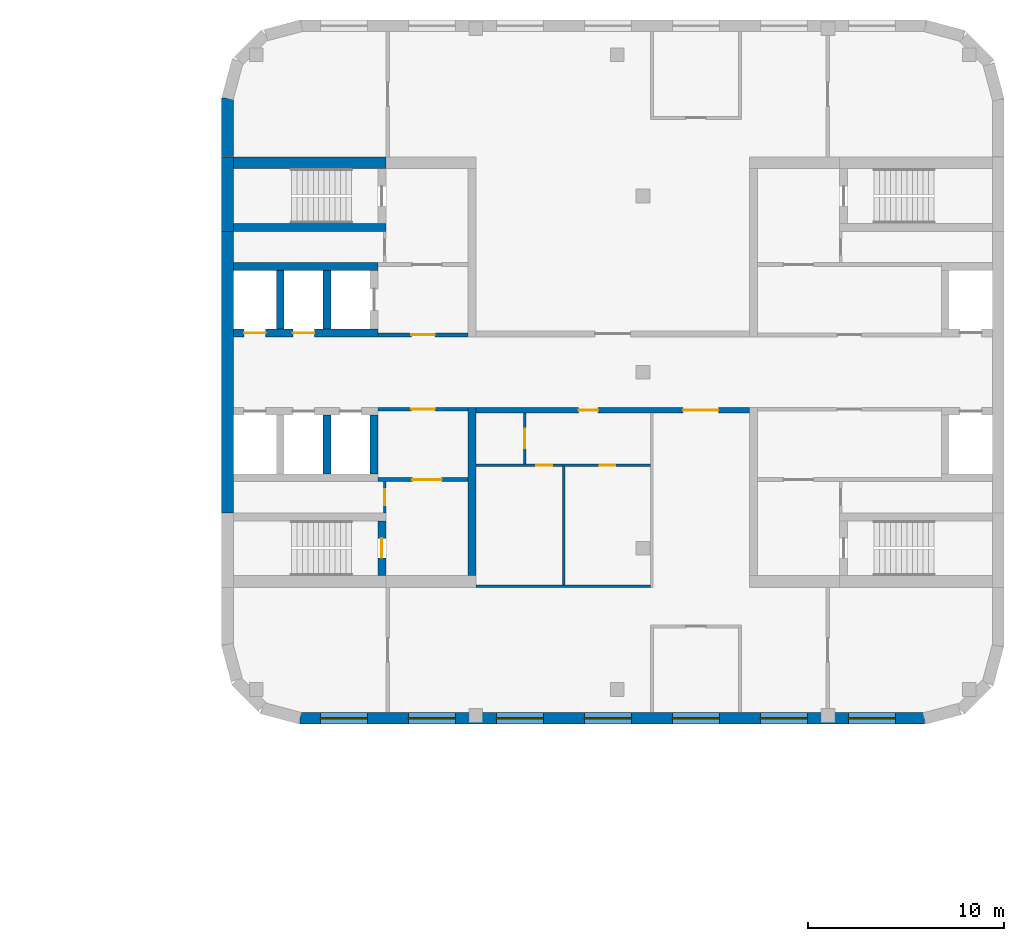
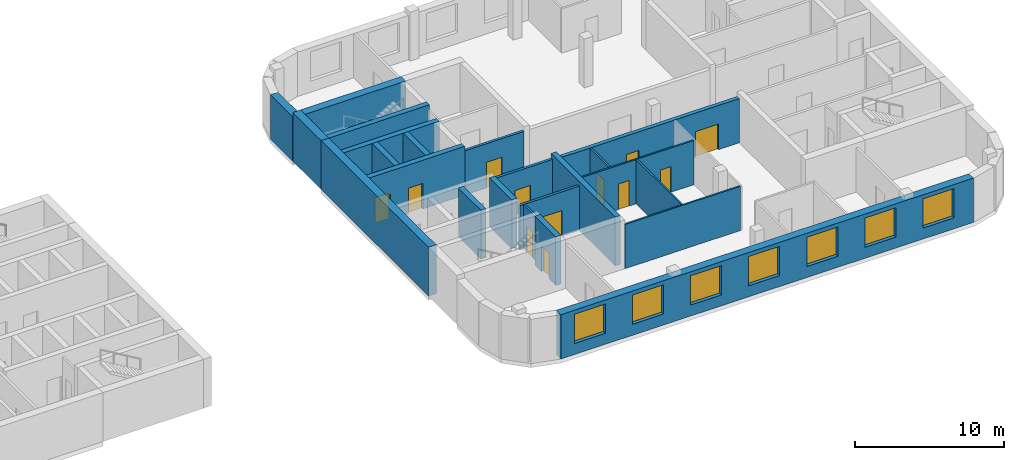
# One storey, part 7 of 12: 23 walls, 12 doors, 7 windows, 19 openings.
"""IFC4 building model written with IfcOpenShell, lengths in metres."""

from ifc_helpers import new_model, si_unit, direction, frame, frame_2d, origin, place, context, subcontext, project, spatial, rectangle, extrude, material, layer, layer_set, type_object, element, fill, save


model = new_model("IFC4")

# Units and contexts
model_context = context("Model", 3, precision=1e-05, world=origin(), true_north=direction((0.0, 1.0)))
body_context = subcontext(model_context, "Body", "Model", "MODEL_VIEW")
ifc_project = project(units=[si_unit("LENGTHUNIT", "METRE"), si_unit("AREAUNIT", "SQUARE_METRE"), si_unit("VOLUMEUNIT", "CUBIC_METRE"), si_unit("PLANEANGLEUNIT", "RADIAN"), si_unit("MASSUNIT", "GRAM", prefix="KILO")], contexts=[model_context])

# Site, building, storey
site_placement = place(None, origin())
site = spatial("IfcSite", under=ifc_project, at=site_placement, CompositionType="ELEMENT")
building_placement = place(site_placement, origin())
building = spatial("IfcBuilding", under=site, at=building_placement, Name="Skarvind Civic Tower", CompositionType="ELEMENT")
storey_placement = place(building_placement, frame((0.0, 0.0, 71.5)))
storey = spatial("IfcBuildingStorey", under=building, at=storey_placement, Name="L16", CompositionType="ELEMENT", Elevation=71.5)

# Wall, openings, doors
ifc_material_1 = material(Name="Fire-rated gypsum board on steel studs", Category="steel")
ifc_layer_1 = layer(ifc_material_1, 0.300048828125)
ifc_layer_set_1 = layer_set([ifc_layer_1], Name="CORRIDOR WALL 300")
wall_type_1 = type_object("IfcWallType", Name="CORRIDOR WALL 300", PredefinedType="PARTITIONING", material=ifc_layer_set_1)
wall_1_placement = place(storey_placement, frame((154.0, 126.050048828125, 0.0), z_axis=(0.0, 0.0, 1.0), x_axis=(-1.0, 0.0, 0.0)))
wall_1 = element("IfcWall", 1, at=wall_1_placement, inside=storey, type_object=wall_type_1, Name="Partition 16.015", PredefinedType="PARTITIONING", context=body_context, shape_type="SweptSolid", body=[
    extrude(rectangle(XDim=14.0, YDim=0.300048828125, at=frame_2d((7.0, 0.0))), origin(), (0.0, 0.0, 1.0), 3.625),
])
opening_1_placement = place(wall_1_placement, frame((7.75, 0.0, 0.0)))
opening_1 = element("IfcOpeningElement", 2, at=opening_1_placement, cuts=wall_1, Name="Opening L16-D105", PredefinedType="OPENING", context=body_context, shape_type="SweptSolid", body=[
    extrude(rectangle(XDim=1.0, YDim=2.10009765625, at=frame_2d((0.5, 1.050048828125))), frame((0.0, 0.159912109375, 0.0), z_axis=(0.0, -1.0, 0.0), x_axis=(1.0, 0.0, 0.0)), (0.0, 0.0, 1.0), 0.320068359375),
])
opening_2_placement = place(wall_1_placement, frame((1.60009765625, 0.0, 0.0)))
opening_2 = element("IfcOpeningElement", 3, at=opening_2_placement, cuts=wall_1, Name="Opening L16-D109", PredefinedType="OPENING", context=body_context, shape_type="SweptSolid", body=[
    extrude(rectangle(XDim=1.800048828125, YDim=2.10009765625, at=frame_2d((0.89990234375, 1.050048828125))), frame((0.0, 0.159912109375, 0.0), z_axis=(0.0, -1.0, 0.0), x_axis=(1.0, 0.0, 0.0)), (0.0, 0.0, 1.0), 0.320068359375),
])
ifc_material_2 = material(Name="Fire-rated timber door leaf", Category="wood")
door_type_1 = type_object("IfcDoorType", Name="FD1 1000x2100", OperationType="NOTDEFINED", PredefinedType="DOOR", material=ifc_material_2)
door_1_placement = place(opening_1_placement, origin())
door_1 = element("IfcDoor", 4, at=door_1_placement, inside=storey, type_object=door_type_1, Name="Door L16-D105", OperationType="SINGLE_SWING_RIGHT", OverallHeight=2.10009765625, OverallWidth=1.0, PredefinedType="DOOR", context=body_context, shape_type="SweptSolid", body=[
    extrude(rectangle(XDim=1.0, YDim=2.10009765625, at=frame_2d((0.5, 1.050048828125))), frame((0.0, 0.02490234375, 0.0), z_axis=(0.0, -1.0, 0.0), x_axis=(1.0, 0.0, 0.0)), (0.0, 0.0, 1.0), 0.050048828125),
])
fill(opening_1, door_1)
door_type_2 = type_object("IfcDoorType", Name="FD4 1800x2100", OperationType="NOTDEFINED", PredefinedType="DOOR", material=ifc_material_2)
door_2_placement = place(opening_2_placement, origin())
door_2 = element("IfcDoor", 5, at=door_2_placement, inside=storey, type_object=door_type_2, Name="Door L16-D109", OperationType="DOUBLE_DOOR_SINGLE_SWING", OverallHeight=2.10009765625, OverallWidth=1.800048828125, PredefinedType="DOOR", context=body_context, shape_type="SweptSolid", body=[
    extrude(rectangle(XDim=1.800048828125, YDim=2.10009765625, at=frame_2d((0.89990234375, 1.050048828125))), frame((0.0, 0.02490234375, 0.0), z_axis=(0.0, -1.0, 0.0), x_axis=(1.0, 0.0, 0.0)), (0.0, 0.0, 1.0), 0.050048828125),
])
fill(opening_2, door_2)

# Wall, opening, door
ifc_material_3 = material(Name="Fire-rated masonry partition", Category="masonry")
ifc_layer_2 = layer(ifc_material_3, 0.199951171875)
ifc_layer_set_2 = layer_set([ifc_layer_2], Name="Core enclosure wall 200")
wall_type_2 = type_object("IfcWallType", Name="Core enclosure wall 200", PredefinedType="PARTITIONING", material=ifc_layer_set_2)
wall_2_placement = place(storey_placement, frame((135.0, 129.89990234375, 0.0), z_axis=(0.0, 0.0, 1.0), x_axis=(1.0, 0.0, 0.0)))
wall_2 = element("IfcWall", 6, at=wall_2_placement, inside=storey, type_object=wall_type_2, Name="Core wall CA", PredefinedType="PARTITIONING", context=body_context, shape_type="SweptSolid", body=[
    extrude(rectangle(XDim=4.60009765625, YDim=0.199951171875, at=frame_2d((2.300048828125, 0.0))), origin(), (0.0, 0.0, 1.0), 3.625),
])
opening_3_placement = place(wall_2_placement, frame((1.699951171875, 0.0, 0.0)))
opening_3 = element("IfcOpeningElement", 7, at=opening_3_placement, cuts=wall_2, Name="Opening D-L16-CA-06", PredefinedType="OPENING", context=body_context, shape_type="SweptSolid", body=[
    extrude(rectangle(XDim=1.199951171875, YDim=2.10009765625, at=frame_2d((0.60009765625, 1.050048828125))), frame((0.0, 0.10986328125, 0.0), z_axis=(0.0, -1.0, 0.0), x_axis=(1.0, 0.0, 0.0)), (0.0, 0.0, 1.0), 0.219970703125),
])
ifc_material_4 = material(Name="Fire-rated steel door", Category="steel")
door_type_3 = type_object("IfcDoorType", Name="Core lobby door 1200", OperationType="NOTDEFINED", PredefinedType="DOOR", material=ifc_material_4)
door_3_placement = place(opening_3_placement, origin())
door_3 = element("IfcDoor", 8, at=door_3_placement, inside=storey, type_object=door_type_3, Name="Fire door", OperationType="DOUBLE_DOOR_SINGLE_SWING", OverallHeight=2.10009765625, OverallWidth=1.199951171875, PredefinedType="DOOR", context=body_context, shape_type="SweptSolid", body=[
    extrude(rectangle(XDim=1.199951171875, YDim=2.10009765625, at=frame_2d((0.60009765625, 1.050048828125))), frame((0.0, 0.02490234375, 0.0), z_axis=(0.0, -1.0, 0.0), x_axis=(1.0, 0.0, 0.0)), (0.0, 0.0, 1.0), 0.050048828125),
])
fill(opening_3, door_3)

wall_3_placement = place(storey_placement, frame((139.60009765625, 126.10009765625, 0.0), z_axis=(0.0, 0.0, 1.0), x_axis=(-1.0, 0.0, 0.0)))
wall_3 = element("IfcWall", 9, at=wall_3_placement, inside=storey, type_object=wall_type_2, Name="Core wall CA", PredefinedType="PARTITIONING", context=body_context, shape_type="SweptSolid", body=[
    extrude(rectangle(XDim=4.60009765625, YDim=0.199951171875, at=frame_2d((2.300048828125, 0.0))), origin(), (0.0, 0.0, 1.0), 3.625),
])
opening_4_placement = place(wall_3_placement, frame((1.699951171875, 0.0, 0.0)))
opening_4 = element("IfcOpeningElement", 10, at=opening_4_placement, cuts=wall_3, Name="Opening D-L16-CA-10", PredefinedType="OPENING", context=body_context, shape_type="SweptSolid", body=[
    extrude(rectangle(XDim=1.199951171875, YDim=2.10009765625, at=frame_2d((0.60009765625, 1.050048828125))), frame((0.0, 0.10986328125, 0.0), z_axis=(0.0, -1.0, 0.0), x_axis=(1.0, 0.0, 0.0)), (0.0, 0.0, 1.0), 0.219970703125),
])
door_4_placement = place(opening_4_placement, origin())
door_4 = element("IfcDoor", 11, at=door_4_placement, inside=storey, type_object=door_type_3, Name="Fire door", OperationType="DOUBLE_DOOR_SINGLE_SWING", OverallHeight=2.10009765625, OverallWidth=1.199951171875, PredefinedType="DOOR", context=body_context, shape_type="SweptSolid", body=[
    extrude(rectangle(XDim=1.199951171875, YDim=2.10009765625, at=frame_2d((0.60009765625, 1.050048828125))), frame((0.0, 0.02490234375, 0.0), z_axis=(0.0, -1.0, 0.0), x_axis=(1.0, 0.0, 0.0)), (0.0, 0.0, 1.0), 0.050048828125),
])
fill(opening_4, door_4)

wall_4_placement = place(storey_placement, frame((139.60009765625, 122.5, 0.0), z_axis=(0.0, 0.0, 1.0), x_axis=(-1.0, 0.0, 0.0)))
wall_4 = element("IfcWall", 12, at=wall_4_placement, inside=storey, type_object=wall_type_2, Name="Core wall CA", PredefinedType="PARTITIONING", context=body_context, shape_type="SweptSolid", body=[
    extrude(rectangle(XDim=4.60009765625, YDim=0.199951171875, at=frame_2d((2.300048828125, 0.0))), origin(), (0.0, 0.0, 1.0), 3.625),
])
opening_5_placement = place(wall_4_placement, frame((1.35009765625, 0.0, 0.0)))
opening_5 = element("IfcOpeningElement", 13, at=opening_5_placement, cuts=wall_4, Name="Opening D-L16-CA-11", PredefinedType="OPENING", context=body_context, shape_type="SweptSolid", body=[
    extrude(rectangle(XDim=1.5, YDim=2.10009765625, at=frame_2d((0.75, 1.050048828125))), frame((0.0, 0.10986328125, 0.0), z_axis=(0.0, -1.0, 0.0), x_axis=(1.0, 0.0, 0.0)), (0.0, 0.0, 1.0), 0.219970703125),
])
door_type_4 = type_object("IfcDoorType", Name="Fire door 1500", OperationType="NOTDEFINED", PredefinedType="DOOR", material=ifc_material_4)
door_5_placement = place(opening_5_placement, origin())
door_5 = element("IfcDoor", 14, at=door_5_placement, inside=storey, type_object=door_type_4, Name="Fire door", OperationType="DOUBLE_DOOR_SINGLE_SWING", OverallHeight=2.10009765625, OverallWidth=1.5, PredefinedType="DOOR", context=body_context, shape_type="SweptSolid", body=[
    extrude(rectangle(XDim=1.5, YDim=2.10009765625, at=frame_2d((0.75, 1.050048828125))), frame((0.0, 0.02490234375, 0.0), z_axis=(0.0, -1.0, 0.0), x_axis=(1.0, 0.0, 0.0)), (0.0, 0.0, 1.0), 0.050048828125),
])
fill(opening_5, door_5)

ifc_material_5 = material(Name="Concrete C80", Category="concrete")
ifc_layer_3 = layer(ifc_material_5, 0.39990234375)
ifc_layer_set_3 = layer_set([ifc_layer_3], Name="Core wall 400 C80")
wall_type_3 = type_object("IfcWallType", Name="Core wall 400 C80", PredefinedType="SHEAR", material=ifc_layer_set_3)
wall_5_placement = place(storey_placement, frame((135.199951171875, 117.60009765625, 0.0), z_axis=(0.0, 0.0, 1.0), x_axis=(0.0, 1.0, 0.0)))
wall_5 = element("IfcWall", 15, at=wall_5_placement, inside=storey, type_object=wall_type_3, Name="Core wall CA south stair end L16", PredefinedType="SHEAR", context=body_context, shape_type="SweptSolid", body=[
    extrude(rectangle(XDim=2.7998046875, YDim=0.39990234375, at=frame_2d((1.39990234375, 0.0))), origin(), (0.0, 0.0, 1.0), 4.0),
])
opening_6_placement = place(wall_5_placement, frame((0.89990234375, 0.0, 0.0)))
opening_6 = element("IfcOpeningElement", 16, at=opening_6_placement, cuts=wall_5, Name="Opening D-L16-CA-12", PredefinedType="OPENING", context=body_context, shape_type="SweptSolid", body=[
    extrude(rectangle(XDim=1.0, YDim=2.10009765625, at=frame_2d((0.5, 1.050048828125))), frame((0.0, 0.2099609375, 0.0), z_axis=(0.0, -1.0, 0.0), x_axis=(1.0, 0.0, 0.0)), (0.0, 0.0, 1.0), 0.419921875),
])
door_type_5 = type_object("IfcDoorType", Name="Fire door 1000", OperationType="NOTDEFINED", PredefinedType="DOOR", material=ifc_material_4)
door_6_placement = place(opening_6_placement, origin())
door_6 = element("IfcDoor", 17, at=door_6_placement, inside=storey, type_object=door_type_5, Name="Fire door", OperationType="SINGLE_SWING_RIGHT", OverallHeight=2.10009765625, OverallWidth=1.0, PredefinedType="DOOR", context=body_context, shape_type="SweptSolid", body=[
    extrude(rectangle(XDim=1.0, YDim=2.10009765625, at=frame_2d((0.5, 1.050048828125))), frame((0.0, 0.02490234375, 0.0), z_axis=(0.0, -1.0, 0.0), x_axis=(1.0, 0.0, 0.0)), (0.0, 0.0, 1.0), 0.050048828125),
])
fill(opening_6, door_6)

# Walls
wall_6_placement = place(storey_placement, frame((127.60009765625, 135.39990234375, 0.0), z_axis=(0.0, 0.0, 1.0), x_axis=(1.0, 0.0, 0.0)))
element("IfcWall", 18, at=wall_6_placement, inside=storey, type_object=wall_type_3, Name="Core wall CA north stair inner L16", PredefinedType="SHEAR", context=body_context, shape_type="SweptSolid", body=[
    extrude(rectangle(XDim=7.7998046875, YDim=0.39990234375, at=frame_2d((3.89990234375, 0.0))), origin(), (0.0, 0.0, 1.0), 4.0),
])
for number, where, z_axis, x_axis, name in (
    (19, (132.39990234375, 122.800048828125, 0.0), (0.0, 0.0, 1.0), (0.0, 1.0, 0.0), "Core wall CA south lift row division 2 L16"),
    (20, (134.800048828125, 122.800048828125, 0.0), (0.0, 0.0, 1.0), (0.0, 1.0, 0.0), "Core wall CA south lift row division 3 L16"),
):
    element("IfcWall", number, at=place(storey_placement, frame(where, z_axis=z_axis, x_axis=x_axis)), inside=storey, type_object=wall_type_3, Name=name, PredefinedType="SHEAR", context=body_context, shape_type="SweptSolid", body=[
        extrude(rectangle(XDim=3.0, YDim=0.39990234375, at=frame_2d((1.5, 0.0))), origin(), (0.0, 0.0, 1.0), 4.0),
    ])

# Wall, openings, doors
wall_7_placement = place(storey_placement, frame((127.60009765625, 130.0, 0.0), z_axis=(0.0, 0.0, 1.0), x_axis=(1.0, 0.0, 0.0)))
wall_7 = element("IfcWall", 21, at=wall_7_placement, inside=storey, type_object=wall_type_3, Name="Core wall CA north lift row front L16", PredefinedType="SHEAR", context=body_context, shape_type="SweptSolid", body=[
    extrude(rectangle(XDim=7.39990234375, YDim=0.39990234375, at=frame_2d((3.699951171875, 0.0))), origin(), (0.0, 0.0, 1.0), 4.0),
])
opening_7_placement = place(wall_7_placement, frame((0.550048828125, 0.0, 0.0)))
opening_7 = element("IfcOpeningElement", 22, at=opening_7_placement, cuts=wall_7, Name="Opening LD18301", PredefinedType="OPENING", context=body_context, shape_type="SweptSolid", body=[
    extrude(rectangle(XDim=1.10009765625, YDim=2.10009765625, at=frame_2d((0.550048828125, 1.050048828125))), frame((0.0, 0.2099609375, 0.0), z_axis=(0.0, -1.0, 0.0), x_axis=(1.0, 0.0, 0.0)), (0.0, 0.0, 1.0), 0.419921875),
])
opening_8_placement = place(wall_7_placement, frame((3.050048828125, 0.0, 0.0)))
opening_8 = element("IfcOpeningElement", 23, at=opening_8_placement, cuts=wall_7, Name="Opening LD18302", PredefinedType="OPENING", context=body_context, shape_type="SweptSolid", body=[
    extrude(rectangle(XDim=1.10009765625, YDim=2.10009765625, at=frame_2d((0.550048828125, 1.050048828125))), frame((0.0, 0.2099609375, 0.0), z_axis=(0.0, -1.0, 0.0), x_axis=(1.0, 0.0, 0.0)), (0.0, 0.0, 1.0), 0.419921875),
])
ifc_material_6 = material(Name="Stainless steel landing door", Category="steel")
door_type_6 = type_object("IfcDoorType", Name="Lift landing door 1100", OperationType="DOUBLE_DOOR_SLIDING", PredefinedType="DOOR", material=ifc_material_6)
door_7_placement = place(opening_7_placement, origin())
door_7 = element("IfcDoor", 24, at=door_7_placement, inside=storey, type_object=door_type_6, Name="Lift landing door", OperationType="DOUBLE_DOOR_SLIDING", OverallHeight=2.10009765625, OverallWidth=1.10009765625, PredefinedType="DOOR", context=body_context, shape_type="SweptSolid", body=[
    extrude(rectangle(XDim=1.10009765625, YDim=2.10009765625, at=frame_2d((0.550048828125, 1.050048828125))), frame((0.0, 0.02490234375, 0.0), z_axis=(0.0, -1.0, 0.0), x_axis=(1.0, 0.0, 0.0)), (0.0, 0.0, 1.0), 0.050048828125),
])
fill(opening_7, door_7)
door_8_placement = place(opening_8_placement, origin())
door_8 = element("IfcDoor", 25, at=door_8_placement, inside=storey, type_object=door_type_6, Name="Lift landing door", OperationType="DOUBLE_DOOR_SLIDING", OverallHeight=2.10009765625, OverallWidth=1.10009765625, PredefinedType="DOOR", context=body_context, shape_type="SweptSolid", body=[
    extrude(rectangle(XDim=1.10009765625, YDim=2.10009765625, at=frame_2d((0.550048828125, 1.050048828125))), frame((0.0, 0.02490234375, 0.0), z_axis=(0.0, -1.0, 0.0), x_axis=(1.0, 0.0, 0.0)), (0.0, 0.0, 1.0), 0.050048828125),
])
fill(opening_8, door_8)

# Walls
wall_8_placement = place(storey_placement, frame((127.60009765625, 133.39990234375, 0.0), z_axis=(0.0, 0.0, 1.0), x_axis=(1.0, 0.0, 0.0)))
element("IfcWall", 26, at=wall_8_placement, inside=storey, type_object=wall_type_3, Name="Core wall CA north lift row back L16", PredefinedType="SHEAR", context=body_context, shape_type="SweptSolid", body=[
    extrude(rectangle(XDim=7.39990234375, YDim=0.39990234375, at=frame_2d((3.699951171875, 0.0))), origin(), (0.0, 0.0, 1.0), 4.0),
])
for number, where, z_axis, x_axis, name in (
    (27, (130.0, 130.199951171875, 0.0), (0.0, 0.0, 1.0), (0.0, 1.0, 0.0), "Core wall CA north lift row division 1 L16"),
    (28, (132.39990234375, 130.199951171875, 0.0), (0.0, 0.0, 1.0), (0.0, 1.0, 0.0), "Core wall CA north lift row division 2 L16"),
):
    element("IfcWall", number, at=place(storey_placement, frame(where, z_axis=z_axis, x_axis=x_axis)), inside=storey, type_object=wall_type_3, Name=name, PredefinedType="SHEAR", context=body_context, shape_type="SweptSolid", body=[
        extrude(rectangle(XDim=3.0, YDim=0.39990234375, at=frame_2d((1.5, 0.0))), origin(), (0.0, 0.0, 1.0), 4.0),
    ])
wall_9_placement = place(storey_placement, frame((139.800048828125, 117.60009765625, 0.0), z_axis=(0.0, 0.0, 1.0), x_axis=(0.0, 1.0, 0.0)))
element("IfcWall", 29, at=wall_9_placement, inside=storey, type_object=wall_type_3, Name="Core wall CA south inner face L16", PredefinedType="SHEAR", context=body_context, shape_type="SweptSolid", body=[
    extrude(rectangle(XDim=8.599853515625, YDim=0.39990234375, at=frame_2d((4.2998046875, 0.0))), origin(), (0.0, 0.0, 1.0), 4.0),
])
ifc_layer_4 = layer(ifc_material_5, 0.60009765625)
ifc_layer_set_4 = layer_set([ifc_layer_4], Name="Core wall 600 C80")
wall_type_4 = type_object("IfcWallType", Name="Core wall 600 C80", PredefinedType="SHEAR", material=ifc_layer_set_4)
wall_10_placement = place(storey_placement, frame((127.300048828125, 120.800048828125, 0.0), z_axis=(0.0, 0.0, 1.0), x_axis=(0.0, 1.0, 0.0)))
element("IfcWall", 30, at=wall_10_placement, inside=storey, type_object=wall_type_4, Name="Core wall CA tip between the stairs L16", PredefinedType="SHEAR", context=body_context, shape_type="SweptSolid", body=[
    extrude(rectangle(XDim=14.39990234375, YDim=0.60009765625, at=frame_2d((7.199951171875, 0.0))), origin(), (0.0, 0.0, 1.0), 4.0),
])
wall_11_placement = place(storey_placement, frame((127.300048828125, 135.199951171875, 0.0), z_axis=(0.0, 0.0, 1.0), x_axis=(0.0, 1.0, 0.0)))
element("IfcWall", 31, at=wall_11_placement, inside=storey, type_object=wall_type_4, Name="Core wall CA tip at the north stair L16", PredefinedType="SHEAR", context=body_context, shape_type="SweptSolid", body=[
    extrude(rectangle(XDim=3.800048828125, YDim=0.60009765625, at=frame_2d((1.89990234375, 0.0))), origin(), (0.0, 0.0, 1.0), 4.0),
])
wall_12_placement = place(storey_placement, frame((127.60009765625, 138.699951171875, 0.0), z_axis=(0.0, 0.0, 1.0), x_axis=(1.0, 0.0, 0.0)))
element("IfcWall", 32, at=wall_12_placement, inside=storey, type_object=wall_type_4, Name="Core wall CA north side at the stair L16", PredefinedType="SHEAR", context=body_context, shape_type="SweptSolid", body=[
    extrude(rectangle(XDim=7.7998046875, YDim=0.60009765625, at=frame_2d((3.89990234375, 0.0))), origin(), (0.0, 0.0, 1.0), 4.0),
])

# Wall, opening, door
ifc_layer_5 = layer(ifc_material_3, 0.125)
ifc_layer_set_5 = layer_set([ifc_layer_5], Name="Riser wall 125")
wall_type_5 = type_object("IfcWallType", Name="Riser wall 125", PredefinedType="PARTITIONING", material=ifc_layer_set_5)
wall_13_placement = place(storey_placement, frame((135.33740234375, 122.39990234375, 0.0), z_axis=(0.0, 0.0, 1.0), x_axis=(0.0, -1.0, 0.0)))
wall_13 = element("IfcWall", 33, at=wall_13_placement, inside=storey, type_object=wall_type_5, Name="Core wall CA", PredefinedType="PARTITIONING", context=body_context, shape_type="SweptSolid", body=[
    extrude(rectangle(XDim=1.599853515625, YDim=0.125, at=frame_2d((0.7998046875, 0.0))), origin(), (0.0, 0.0, 1.0), 3.625),
])
opening_9_placement = place(wall_13_placement, frame((0.39990234375, 0.0, 0.0)))
opening_9 = element("IfcOpeningElement", 34, at=opening_9_placement, cuts=wall_13, Name="Opening D-L16-CA-13", PredefinedType="OPENING", context=body_context, shape_type="SweptSolid", body=[
    extrude(rectangle(XDim=0.800048828125, YDim=2.10009765625, at=frame_2d((0.39990234375, 1.050048828125))), frame((0.0, 0.072509765625, 0.0), z_axis=(0.0, -1.0, 0.0), x_axis=(1.0, 0.0, 0.0)), (0.0, 0.0, 1.0), 0.14501953125),
])
door_type_7 = type_object("IfcDoorType", Name="Core riser door 800", OperationType="NOTDEFINED", PredefinedType="DOOR", material=ifc_material_4)
door_9_placement = place(opening_9_placement, origin())
door_9 = element("IfcDoor", 35, at=door_9_placement, inside=storey, type_object=door_type_7, Name="Riser door", OperationType="SINGLE_SWING_LEFT", OverallHeight=2.10009765625, OverallWidth=0.800048828125, PredefinedType="DOOR", context=body_context, shape_type="SweptSolid", body=[
    extrude(rectangle(XDim=0.800048828125, YDim=2.10009765625, at=frame_2d((0.39990234375, 1.050048828125))), frame((0.0, 0.02490234375, 0.0), z_axis=(0.0, -1.0, 0.0), x_axis=(1.0, 0.0, 0.0)), (0.0, 0.0, 1.0), 0.050048828125),
])
fill(opening_9, door_9)

# Wall
ifc_material_7 = material(Name="Moisture-resistant gypsum board on steel studs", Category="steel")
ifc_layer_6 = layer(ifc_material_7, 0.125)
ifc_layer_set_6 = layer_set([ifc_layer_6], Name="WC PARTITION 125")
wall_type_6 = type_object("IfcWallType", Name="WC PARTITION 125", PredefinedType="PARTITIONING", material=ifc_layer_set_6)
wall_14_placement = place(storey_placement, frame((140.0, 117.050048828125, 0.0), z_axis=(0.0, 0.0, 1.0), x_axis=(1.0, 0.0, 0.0)))
element("IfcWall", 36, at=wall_14_placement, inside=storey, type_object=wall_type_6, Name="Partition 16.003", PredefinedType="PARTITIONING", context=body_context, shape_type="SweptSolid", body=[
    extrude(rectangle(XDim=8.93798828125, YDim=0.125, at=frame_2d((4.468994140625, 0.0))), origin(), (0.0, 0.0, 1.0), 3.625),
])

# Wall, openings, doors
wall_15_placement = place(storey_placement, frame((148.93798828125, 123.25, 0.0), z_axis=(0.0, 0.0, 1.0), x_axis=(-1.0, 0.0, 0.0)))
wall_15 = element("IfcWall", 37, at=wall_15_placement, inside=storey, type_object=wall_type_6, Name="Partition 16.004", PredefinedType="PARTITIONING", context=body_context, shape_type="SweptSolid", body=[
    extrude(rectangle(XDim=8.93798828125, YDim=0.125, at=frame_2d((4.468994140625, 0.0))), origin(), (0.0, 0.0, 1.0), 3.625),
])
opening_10_placement = place(wall_15_placement, frame((1.80908203125, 0.0, 0.0)))
opening_10 = element("IfcOpeningElement", 38, at=opening_10_placement, cuts=wall_15, Name="Opening L16-D107", PredefinedType="OPENING", context=body_context, shape_type="SweptSolid", body=[
    extrude(rectangle(XDim=0.800048828125, YDim=2.10009765625, at=frame_2d((0.39990234375, 1.050048828125))), frame((0.0, 0.072509765625, 0.0), z_axis=(0.0, -1.0, 0.0), x_axis=(1.0, 0.0, 0.0)), (0.0, 0.0, 1.0), 0.14501953125),
])
opening_11_placement = place(wall_15_placement, frame((5.03955078125, 0.0, 0.0)))
opening_11 = element("IfcOpeningElement", 39, at=opening_11_placement, cuts=wall_15, Name="Opening L16-D108", PredefinedType="OPENING", context=body_context, shape_type="SweptSolid", body=[
    extrude(rectangle(XDim=0.800048828125, YDim=2.10009765625, at=frame_2d((0.39990234375, 1.050048828125))), frame((0.0, 0.072509765625, 0.0), z_axis=(0.0, -1.0, 0.0), x_axis=(1.0, 0.0, 0.0)), (0.0, 0.0, 1.0), 0.14501953125),
])
ifc_material_8 = material(Name="Timber door leaf", Category="wood")
door_type_8 = type_object("IfcDoorType", Name="DOOR 800X2100 TIMBER", OperationType="NOTDEFINED", PredefinedType="DOOR", material=ifc_material_8)
door_10_placement = place(opening_10_placement, origin())
door_10 = element("IfcDoor", 40, at=door_10_placement, inside=storey, type_object=door_type_8, Name="Door L16-D107", OperationType="SINGLE_SWING_LEFT", OverallHeight=2.10009765625, OverallWidth=0.800048828125, PredefinedType="DOOR", context=body_context, shape_type="SweptSolid", body=[
    extrude(rectangle(XDim=0.800048828125, YDim=2.10009765625, at=frame_2d((0.39990234375, 1.050048828125))), frame((0.0, 0.02490234375, 0.0), z_axis=(0.0, -1.0, 0.0), x_axis=(1.0, 0.0, 0.0)), (0.0, 0.0, 1.0), 0.050048828125),
])
fill(opening_10, door_10)
door_11_placement = place(opening_11_placement, origin())
door_11 = element("IfcDoor", 41, at=door_11_placement, inside=storey, type_object=door_type_8, Name="Door L16-D108", OperationType="SINGLE_SWING_LEFT", OverallHeight=2.10009765625, OverallWidth=0.800048828125, PredefinedType="DOOR", context=body_context, shape_type="SweptSolid", body=[
    extrude(rectangle(XDim=0.800048828125, YDim=2.10009765625, at=frame_2d((0.39990234375, 1.050048828125))), frame((0.0, 0.02490234375, 0.0), z_axis=(0.0, -1.0, 0.0), x_axis=(1.0, 0.0, 0.0)), (0.0, 0.0, 1.0), 0.050048828125),
])
fill(opening_11, door_11)

# Wall, opening, door
wall_16_placement = place(storey_placement, frame((142.5, 123.31201171875, 0.0), z_axis=(0.0, 0.0, 1.0), x_axis=(0.0, 1.0, 0.0)))
wall_16 = element("IfcWall", 42, at=wall_16_placement, inside=storey, type_object=wall_type_6, Name="Partition 16.006", PredefinedType="PARTITIONING", context=body_context, shape_type="SweptSolid", body=[
    extrude(rectangle(XDim=2.587890625, YDim=0.125, at=frame_2d((1.2939453125, 0.0))), origin(), (0.0, 0.0, 1.0), 3.625),
])
opening_12_placement = place(wall_16_placement, frame((0.7939453125, 0.0, 0.0)))
opening_12 = element("IfcOpeningElement", 43, at=opening_12_placement, cuts=wall_16, Name="Opening L16-D106", PredefinedType="OPENING", context=body_context, shape_type="SweptSolid", body=[
    extrude(rectangle(XDim=1.0, YDim=2.10009765625, at=frame_2d((0.5, 1.050048828125))), frame((0.0, 0.072509765625, 0.0), z_axis=(0.0, -1.0, 0.0), x_axis=(1.0, 0.0, 0.0)), (0.0, 0.0, 1.0), 0.14501953125),
])
door_type_9 = type_object("IfcDoorType", Name="D1 1000x2100", OperationType="NOTDEFINED", PredefinedType="DOOR", material=ifc_material_8)
door_12_placement = place(opening_12_placement, origin())
door_12 = element("IfcDoor", 44, at=door_12_placement, inside=storey, type_object=door_type_9, Name="Door L16-D106", OperationType="SINGLE_SWING_RIGHT", OverallHeight=2.10009765625, OverallWidth=1.0, PredefinedType="DOOR", context=body_context, shape_type="SweptSolid", body=[
    extrude(rectangle(XDim=1.0, YDim=2.10009765625, at=frame_2d((0.5, 1.050048828125))), frame((0.0, 0.02490234375, 0.0), z_axis=(0.0, -1.0, 0.0), x_axis=(1.0, 0.0, 0.0)), (0.0, 0.0, 1.0), 0.050048828125),
])
fill(opening_12, door_12)

# Walls
wall_17_placement = place(storey_placement, frame((144.5, 123.18798828125, 0.0), z_axis=(0.0, 0.0, 1.0), x_axis=(0.0, -1.0, 0.0)))
element("IfcWall", 45, at=wall_17_placement, inside=storey, type_object=wall_type_6, Name="Partition 16.007", PredefinedType="PARTITIONING", context=body_context, shape_type="SweptSolid", body=[
    extrude(rectangle(XDim=6.075927734375, YDim=0.125, at=frame_2d((3.0380859375, 0.0))), origin(), (0.0, 0.0, 1.0), 3.625),
])
ifc_material_9 = material(Name="Limestone masonry cladding on insulated backing", Category="masonry")
ifc_layer_7 = layer(ifc_material_9, 0.60009765625)
ifc_layer_set_7 = layer_set([ifc_layer_7], Name="WX1 STONE FACADE WALL 600")
wall_type_7 = type_object("IfcWallType", Name="WX1 STONE FACADE WALL 600", PredefinedType="SOLIDWALL", material=ifc_layer_set_7)
wall_18_placement = place(storey_placement, frame((127.300048828125, 139.02001953125, 0.0), z_axis=(0.0, 0.0, 1.0), x_axis=(0.0, 1.0, 0.0)))
element("IfcWall", 46, at=wall_18_placement, inside=storey, type_object=wall_type_7, Name="STONE FACADE WALL", PredefinedType="SOLIDWALL", context=body_context, shape_type="SweptSolid", body=[
    extrude(rectangle(XDim=2.97998046875, YDim=0.60009765625, at=frame_2d((1.489990234375, 0.0))), origin(), (0.0, 0.0, 1.0), 3.625),
])

# Wall, openings, windows
wall_19_placement = place(storey_placement, frame((162.929931640625, 110.300048828125, 0.0), z_axis=(0.0, 0.0, 1.0), x_axis=(-1.0, 0.0, 0.0)))
wall_19 = element("IfcWall", 47, at=wall_19_placement, inside=storey, type_object=wall_type_7, Name="STONE FACADE WALL", PredefinedType="SOLIDWALL", context=body_context, shape_type="SweptSolid", body=[
    extrude(rectangle(XDim=31.929931640625, YDim=0.60009765625, at=frame_2d((15.96484375, 0.0))), origin(), (0.0, 0.0, 1.0), 3.625),
])
opening_13_placement = place(wall_19_placement, frame((1.47998046875, 0.0, 0.89990234375)))
opening_13 = element("IfcOpeningElement", 48, at=opening_13_placement, cuts=wall_19, Name="Opening WN9", PredefinedType="OPENING", context=body_context, shape_type="SweptSolid", body=[
    extrude(rectangle(XDim=2.39990234375, YDim=2.39990234375, at=frame_2d((1.199951171875, 1.199951171875))), frame((0.0, 0.31005859375, 0.0), z_axis=(0.0, -1.0, 0.0), x_axis=(1.0, 0.0, 0.0)), (0.0, 0.0, 1.0), 0.6201171875),
])
opening_14_placement = place(wall_19_placement, frame((5.97998046875, 0.0, 0.89990234375)))
opening_14 = element("IfcOpeningElement", 49, at=opening_14_placement, cuts=wall_19, Name="Opening WN9", PredefinedType="OPENING", context=body_context, shape_type="SweptSolid", body=[
    extrude(rectangle(XDim=2.39990234375, YDim=2.39990234375, at=frame_2d((1.199951171875, 1.199951171875))), frame((0.0, 0.31005859375, 0.0), z_axis=(0.0, -1.0, 0.0), x_axis=(1.0, 0.0, 0.0)), (0.0, 0.0, 1.0), 0.6201171875),
])
opening_15_placement = place(wall_19_placement, frame((10.47998046875, 0.0, 0.89990234375)))
opening_15 = element("IfcOpeningElement", 50, at=opening_15_placement, cuts=wall_19, Name="Opening WN9", PredefinedType="OPENING", context=body_context, shape_type="SweptSolid", body=[
    extrude(rectangle(XDim=2.39990234375, YDim=2.39990234375, at=frame_2d((1.199951171875, 1.199951171875))), frame((0.0, 0.31005859375, 0.0), z_axis=(0.0, -1.0, 0.0), x_axis=(1.0, 0.0, 0.0)), (0.0, 0.0, 1.0), 0.6201171875),
])
opening_16_placement = place(wall_19_placement, frame((14.97998046875, 0.0, 0.89990234375)))
opening_16 = element("IfcOpeningElement", 51, at=opening_16_placement, cuts=wall_19, Name="Opening WN9", PredefinedType="OPENING", context=body_context, shape_type="SweptSolid", body=[
    extrude(rectangle(XDim=2.39990234375, YDim=2.39990234375, at=frame_2d((1.199951171875, 1.199951171875))), frame((0.0, 0.31005859375, 0.0), z_axis=(0.0, -1.0, 0.0), x_axis=(1.0, 0.0, 0.0)), (0.0, 0.0, 1.0), 0.6201171875),
])
opening_17_placement = place(wall_19_placement, frame((19.47998046875, 0.0, 0.89990234375)))
opening_17 = element("IfcOpeningElement", 52, at=opening_17_placement, cuts=wall_19, Name="Opening WN9", PredefinedType="OPENING", context=body_context, shape_type="SweptSolid", body=[
    extrude(rectangle(XDim=2.39990234375, YDim=2.39990234375, at=frame_2d((1.199951171875, 1.199951171875))), frame((0.0, 0.31005859375, 0.0), z_axis=(0.0, -1.0, 0.0), x_axis=(1.0, 0.0, 0.0)), (0.0, 0.0, 1.0), 0.6201171875),
])
opening_18_placement = place(wall_19_placement, frame((23.97998046875, 0.0, 0.89990234375)))
opening_18 = element("IfcOpeningElement", 53, at=opening_18_placement, cuts=wall_19, Name="Opening WN9", PredefinedType="OPENING", context=body_context, shape_type="SweptSolid", body=[
    extrude(rectangle(XDim=2.39990234375, YDim=2.39990234375, at=frame_2d((1.199951171875, 1.199951171875))), frame((0.0, 0.31005859375, 0.0), z_axis=(0.0, -1.0, 0.0), x_axis=(1.0, 0.0, 0.0)), (0.0, 0.0, 1.0), 0.6201171875),
])
opening_19_placement = place(wall_19_placement, frame((28.47998046875, 0.0, 0.89990234375)))
opening_19 = element("IfcOpeningElement", 54, at=opening_19_placement, cuts=wall_19, Name="Opening WN9", PredefinedType="OPENING", context=body_context, shape_type="SweptSolid", body=[
    extrude(rectangle(XDim=2.39990234375, YDim=2.39990234375, at=frame_2d((1.199951171875, 1.199951171875))), frame((0.0, 0.31005859375, 0.0), z_axis=(0.0, -1.0, 0.0), x_axis=(1.0, 0.0, 0.0)), (0.0, 0.0, 1.0), 0.6201171875),
])
ifc_material_10 = material(Name="Timber frame, double glazing, timber-lined reveal", Category="wood")
window_type = type_object("IfcWindowType", Name="WN9 COMPANION TOWER WINDOW 2400 x 2400", PartitioningType="SINGLE_PANEL", PredefinedType="WINDOW", material=ifc_material_10)
window_1_placement = place(opening_13_placement, origin())
window_1 = element("IfcWindow", 55, at=window_1_placement, inside=storey, type_object=window_type, Name="WN9 WINDOW", OverallHeight=2.39990234375, OverallWidth=2.39990234375, PartitioningType="SINGLE_PANEL", PredefinedType="WINDOW", context=body_context, shape_type="SweptSolid", body=[
    extrude(rectangle(XDim=2.39990234375, YDim=2.39990234375, at=frame_2d((1.199951171875, 1.199951171875))), frame((0.0, 0.030029296875, 0.0), z_axis=(0.0, -1.0, 0.0), x_axis=(1.0, 0.0, 0.0)), (0.0, 0.0, 1.0), 0.06005859375),
])
fill(opening_13, window_1)
window_2_placement = place(opening_14_placement, origin())
window_2 = element("IfcWindow", 56, at=window_2_placement, inside=storey, type_object=window_type, Name="WN9 WINDOW", OverallHeight=2.39990234375, OverallWidth=2.39990234375, PartitioningType="SINGLE_PANEL", PredefinedType="WINDOW", context=body_context, shape_type="SweptSolid", body=[
    extrude(rectangle(XDim=2.39990234375, YDim=2.39990234375, at=frame_2d((1.199951171875, 1.199951171875))), frame((0.0, 0.030029296875, 0.0), z_axis=(0.0, -1.0, 0.0), x_axis=(1.0, 0.0, 0.0)), (0.0, 0.0, 1.0), 0.06005859375),
])
fill(opening_14, window_2)
window_3_placement = place(opening_15_placement, origin())
window_3 = element("IfcWindow", 57, at=window_3_placement, inside=storey, type_object=window_type, Name="WN9 WINDOW", OverallHeight=2.39990234375, OverallWidth=2.39990234375, PartitioningType="SINGLE_PANEL", PredefinedType="WINDOW", context=body_context, shape_type="SweptSolid", body=[
    extrude(rectangle(XDim=2.39990234375, YDim=2.39990234375, at=frame_2d((1.199951171875, 1.199951171875))), frame((0.0, 0.030029296875, 0.0), z_axis=(0.0, -1.0, 0.0), x_axis=(1.0, 0.0, 0.0)), (0.0, 0.0, 1.0), 0.06005859375),
])
fill(opening_15, window_3)
window_4_placement = place(opening_16_placement, origin())
window_4 = element("IfcWindow", 58, at=window_4_placement, inside=storey, type_object=window_type, Name="WN9 WINDOW", OverallHeight=2.39990234375, OverallWidth=2.39990234375, PartitioningType="SINGLE_PANEL", PredefinedType="WINDOW", context=body_context, shape_type="SweptSolid", body=[
    extrude(rectangle(XDim=2.39990234375, YDim=2.39990234375, at=frame_2d((1.199951171875, 1.199951171875))), frame((0.0, 0.030029296875, 0.0), z_axis=(0.0, -1.0, 0.0), x_axis=(1.0, 0.0, 0.0)), (0.0, 0.0, 1.0), 0.06005859375),
])
fill(opening_16, window_4)
window_5_placement = place(opening_17_placement, origin())
window_5 = element("IfcWindow", 59, at=window_5_placement, inside=storey, type_object=window_type, Name="WN9 WINDOW", OverallHeight=2.39990234375, OverallWidth=2.39990234375, PartitioningType="SINGLE_PANEL", PredefinedType="WINDOW", context=body_context, shape_type="SweptSolid", body=[
    extrude(rectangle(XDim=2.39990234375, YDim=2.39990234375, at=frame_2d((1.199951171875, 1.199951171875))), frame((0.0, 0.030029296875, 0.0), z_axis=(0.0, -1.0, 0.0), x_axis=(1.0, 0.0, 0.0)), (0.0, 0.0, 1.0), 0.06005859375),
])
fill(opening_17, window_5)
window_6_placement = place(opening_18_placement, origin())
window_6 = element("IfcWindow", 60, at=window_6_placement, inside=storey, type_object=window_type, Name="WN9 WINDOW", OverallHeight=2.39990234375, OverallWidth=2.39990234375, PartitioningType="SINGLE_PANEL", PredefinedType="WINDOW", context=body_context, shape_type="SweptSolid", body=[
    extrude(rectangle(XDim=2.39990234375, YDim=2.39990234375, at=frame_2d((1.199951171875, 1.199951171875))), frame((0.0, 0.030029296875, 0.0), z_axis=(0.0, -1.0, 0.0), x_axis=(1.0, 0.0, 0.0)), (0.0, 0.0, 1.0), 0.06005859375),
])
fill(opening_18, window_6)
window_7_placement = place(opening_19_placement, origin())
window_7 = element("IfcWindow", 61, at=window_7_placement, inside=storey, type_object=window_type, Name="WN9 WINDOW", OverallHeight=2.39990234375, OverallWidth=2.39990234375, PartitioningType="SINGLE_PANEL", PredefinedType="WINDOW", context=body_context, shape_type="SweptSolid", body=[
    extrude(rectangle(XDim=2.39990234375, YDim=2.39990234375, at=frame_2d((1.199951171875, 1.199951171875))), frame((0.0, 0.030029296875, 0.0), z_axis=(0.0, -1.0, 0.0), x_axis=(1.0, 0.0, 0.0)), (0.0, 0.0, 1.0), 0.06005859375),
])
fill(opening_19, window_7)

save(model, "model.ifc")
